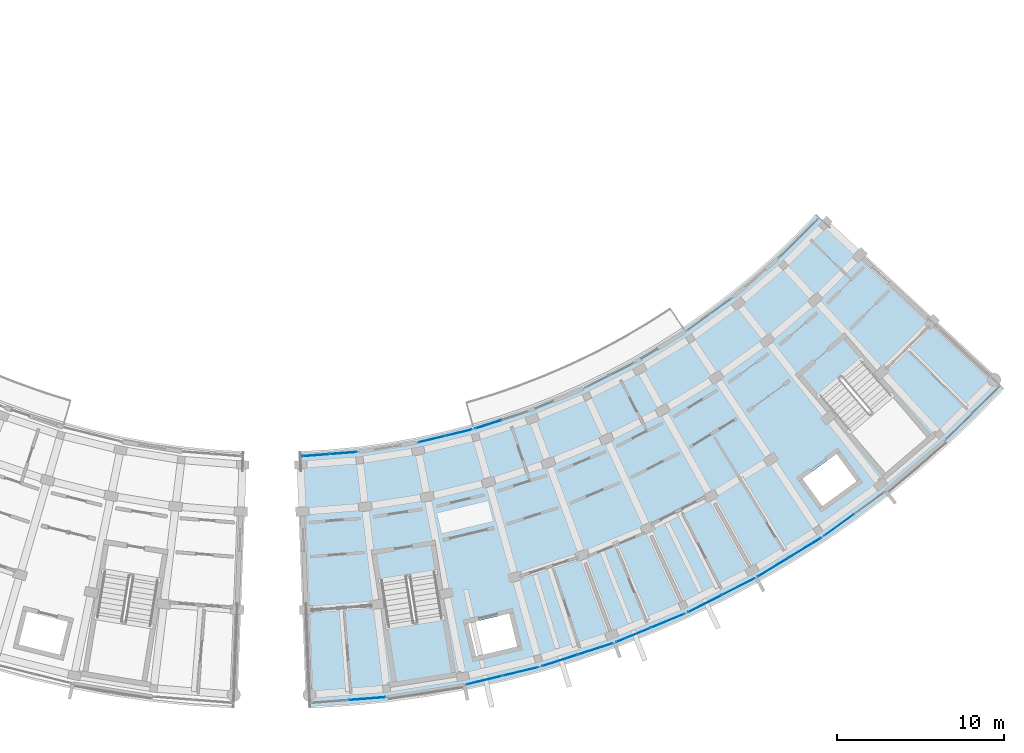
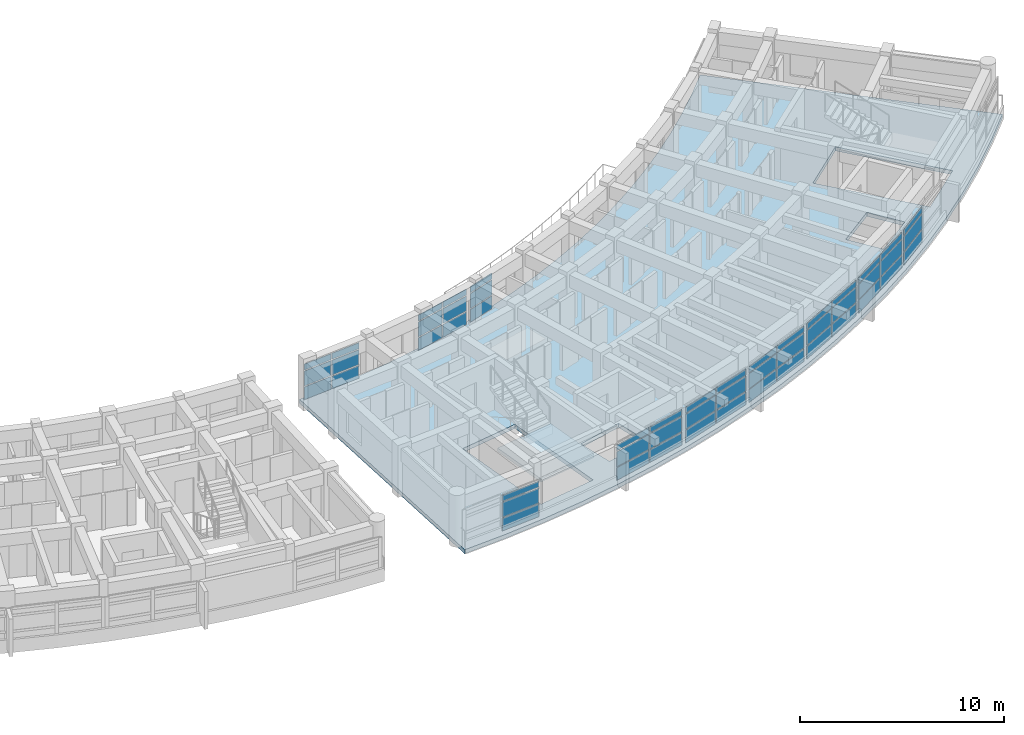
# One storey, part 25 of 56: 51 plates, 2 slabs, 11 elements without a shape of their own.
"""IFC4 building model written with IfcOpenShell, lengths in metres."""

from ifc_helpers import new_model, si_unit, direction, frame, origin, origin_2d, place, context, subcontext, project, spatial, polyline, rectangle, outline, extrude, material, layer, layer_set, type_object, element, aggregate, save


model = new_model("IFC4")

# Units and contexts
model_context = context("Model", 3, precision=1e-05, world=origin(), true_north=direction((0.0, 1.0)))
body_context = subcontext(model_context, "Body", "Model", "MODEL_VIEW")
ifc_project = project(units=[si_unit("LENGTHUNIT", "METRE"), si_unit("AREAUNIT", "SQUARE_METRE"), si_unit("VOLUMEUNIT", "CUBIC_METRE"), si_unit("PLANEANGLEUNIT", "RADIAN"), si_unit("MASSUNIT", "GRAM", prefix="KILO")], contexts=[model_context])

# Site, building, storey
site_placement = place(None, origin())
site = spatial("IfcSite", under=ifc_project, at=site_placement, CompositionType="ELEMENT")
building_placement = place(site_placement, origin())
building = spatial("IfcBuilding", under=site, at=building_placement, Name="Zimvara Arc Housing Community", CompositionType="ELEMENT")
storey_placement = place(building_placement, frame((0.0, 0.0, 11.199951171875)))
storey = spatial("IfcBuildingStorey", under=building, at=storey_placement, Name="L03", CompositionType="ELEMENT", Elevation=11.199951171875)

# Curtain wall, plates
ifc_material_1 = material(Name="Anodised Aluminium AW-6063", Category="aluminium")
curtain_wall_type_1 = type_object("IfcCurtainWallType", Name="CW-SYS-04", PredefinedType="USERDEFINED", material=ifc_material_1)
curtain_wall_1_placement = place(storey_placement, origin())
curtain_wall_1 = element("IfcCurtainWall", 1, at=curtain_wall_1_placement, inside=storey, type_object=curtain_wall_type_1, Name="cw:blkD:L03:in:b0", ObjectType="CURTAIN WALL", PredefinedType="USERDEFINED")
ifc_material_2 = material(Name="Pale-Gold Anodised Aluminium Spandrel Panel", Category="aluminium")
ifc_layer_1 = layer(ifc_material_2, 0.035888671875)
ifc_layer_set_1 = layer_set([ifc_layer_1], Name="Pale-Gold Anodised Aluminium Spandrel Panel")
plate_type_1 = type_object("IfcPlateType", Name="CWP-GLD-36", PredefinedType="CURTAIN_PANEL", material=ifc_layer_set_1)
plate_1_placement = place(storey_placement, frame((128.6123046875, 65.344482421875, 0.065185546875), z_axis=(0.0, 0.0, 1.0), x_axis=(0.996985344149, 0.077590099579, 0.0)))
plate_1 = element("IfcPlate", 2, at=plate_1_placement, type_object=plate_type_1, Name="CW04 panel 1.1", PredefinedType="CURTAIN_PANEL", context=body_context, shape_type="SweptSolid", body=[
    extrude(rectangle(XDim=1.59423828125, YDim=0.035888671875, at=origin_2d()), origin(), (0.0, 0.0, 1.0), 0.75244140625),
])
plate_2_placement = place(storey_placement, frame((128.6123046875, 65.344482421875, 0.88232421875), z_axis=(0.0, 0.0, 1.0), x_axis=(0.996985344149, 0.077590099579, 0.0)))
plate_2 = element("IfcPlate", 3, at=plate_2_placement, type_object=plate_type_1, Name="CW04 panel 1.2", PredefinedType="CURTAIN_PANEL", context=body_context, shape_type="SweptSolid", body=[
    extrude(rectangle(XDim=1.59423828125, YDim=0.035888671875, at=origin_2d()), origin(), (0.0, 0.0, 1.0), 0.885009765625),
])
plate_3_placement = place(storey_placement, frame((128.6123046875, 65.344482421875, 1.83251953125), z_axis=(0.0, 0.0, 1.0), x_axis=(0.996985344149, 0.077590099579, 0.0)))
plate_3 = element("IfcPlate", 4, at=plate_3_placement, type_object=plate_type_1, Name="CW04 panel 1.3", PredefinedType="CURTAIN_PANEL", context=body_context, shape_type="SweptSolid", body=[
    extrude(rectangle(XDim=1.59423828125, YDim=0.035888671875, at=origin_2d()), origin(), (0.0, 0.0, 1.0), 0.3525390625),
])
plate_4_placement = place(storey_placement, frame((130.2666015625, 65.47314453125, 0.065185546875), z_axis=(0.0, 0.0, 1.0), x_axis=(0.996985344149, 0.077590099579, 0.0)))
plate_4 = element("IfcPlate", 5, at=plate_4_placement, type_object=plate_type_1, Name="CW04 panel 2.1", PredefinedType="CURTAIN_PANEL", context=body_context, shape_type="SweptSolid", body=[
    extrude(rectangle(XDim=1.59423828125, YDim=0.035888671875, at=origin_2d()), origin(), (0.0, 0.0, 1.0), 0.75244140625),
])
plate_5_placement = place(storey_placement, frame((130.2666015625, 65.47314453125, 0.88232421875), z_axis=(0.0, 0.0, 1.0), x_axis=(0.996985344149, 0.077590099579, 0.0)))
plate_5 = element("IfcPlate", 6, at=plate_5_placement, type_object=plate_type_1, Name="CW04 panel 2.2", PredefinedType="CURTAIN_PANEL", context=body_context, shape_type="SweptSolid", body=[
    extrude(rectangle(XDim=1.59423828125, YDim=0.035888671875, at=origin_2d()), origin(), (0.0, 0.0, 1.0), 0.885009765625),
])
plate_6_placement = place(storey_placement, frame((130.2666015625, 65.47314453125, 1.83251953125), z_axis=(0.0, 0.0, 1.0), x_axis=(0.996985344149, 0.077590099579, 0.0)))
plate_6 = element("IfcPlate", 7, at=plate_6_placement, type_object=plate_type_1, Name="CW04 panel 2.3", PredefinedType="CURTAIN_PANEL", context=body_context, shape_type="SweptSolid", body=[
    extrude(rectangle(XDim=1.59423828125, YDim=0.035888671875, at=origin_2d()), origin(), (0.0, 0.0, 1.0), 0.3525390625),
])
aggregate(curtain_wall_1, [plate_1, plate_2, plate_3, plate_4, plate_5, plate_6])

ifc_material_3 = material(Name="Anodised Aluminium AW-6063", Category="aluminium")
curtain_wall_type_2 = type_object("IfcCurtainWallType", Name="CW-SYS-08", PredefinedType="USERDEFINED", material=ifc_material_3)
curtain_wall_2_placement = place(storey_placement, origin())
curtain_wall_2 = element("IfcCurtainWall", 8, at=curtain_wall_2_placement, inside=storey, type_object=curtain_wall_type_2, Name="cw:blkD:L03:in:b3", ObjectType="CURTAIN WALL", PredefinedType="USERDEFINED")
plate_7_placement = place(storey_placement, frame((138.931396484375, 67.18896484375, 0.065185546875), z_axis=(0.0, 0.0, 1.0), x_axis=(0.951326373008, 0.308185223559, 0.0)))
plate_7 = element("IfcPlate", 9, at=plate_7_placement, type_object=plate_type_1, Name="CW08 panel 1.1", PredefinedType="CURTAIN_PANEL", context=body_context, shape_type="SweptSolid", body=[
    extrude(rectangle(XDim=1.59423828125, YDim=0.035888671875, at=origin_2d()), origin(), (0.0, 0.0, 1.0), 0.75244140625),
])
plate_8_placement = place(storey_placement, frame((138.931396484375, 67.18896484375, 0.88232421875), z_axis=(0.0, 0.0, 1.0), x_axis=(0.951326373008, 0.308185223559, 0.0)))
plate_8 = element("IfcPlate", 10, at=plate_8_placement, type_object=plate_type_1, Name="CW08 panel 1.2", PredefinedType="CURTAIN_PANEL", context=body_context, shape_type="SweptSolid", body=[
    extrude(rectangle(XDim=1.59423828125, YDim=0.035888671875, at=origin_2d()), origin(), (0.0, 0.0, 1.0), 0.885009765625),
])
plate_9_placement = place(storey_placement, frame((138.931396484375, 67.18896484375, 1.83251953125), z_axis=(0.0, 0.0, 1.0), x_axis=(0.951326373008, 0.308185223559, 0.0)))
plate_9 = element("IfcPlate", 11, at=plate_9_placement, type_object=plate_type_1, Name="CW08 panel 1.3", PredefinedType="CURTAIN_PANEL", context=body_context, shape_type="SweptSolid", body=[
    extrude(rectangle(XDim=1.59423828125, YDim=0.035888671875, at=origin_2d()), origin(), (0.0, 0.0, 1.0), 0.3525390625),
])
aggregate(curtain_wall_2, [plate_7, plate_8, plate_9])

curtain_wall_3_placement = place(storey_placement, origin())
curtain_wall_3 = element("IfcCurtainWall", 12, at=curtain_wall_3_placement, inside=storey, type_object=curtain_wall_type_1, Name="cw:blkD:L03:out:b6", ObjectType="CURTAIN WALL", PredefinedType="USERDEFINED")
plate_10_placement = place(storey_placement, frame((155.98291015625, 58.658203125, 0.065185546875), z_axis=(0.0, 0.0, 1.0), x_axis=(0.853095835272, 0.521754248513, 0.0)))
plate_10 = element("IfcPlate", 13, at=plate_10_placement, type_object=plate_type_1, Name="CW04 panel 1.1", PredefinedType="CURTAIN_PANEL", context=body_context, shape_type="SweptSolid", body=[
    extrude(rectangle(XDim=2.173828125, YDim=0.035888671875, at=origin_2d()), origin(), (0.0, 0.0, 1.0), 0.75244140625),
])
plate_11_placement = place(storey_placement, frame((155.98291015625, 58.658203125, 0.88232421875), z_axis=(0.0, 0.0, 1.0), x_axis=(0.853095835272, 0.521754248513, 0.0)))
plate_11 = element("IfcPlate", 14, at=plate_11_placement, type_object=plate_type_1, Name="CW04 panel 1.2", PredefinedType="CURTAIN_PANEL", context=body_context, shape_type="SweptSolid", body=[
    extrude(rectangle(XDim=2.173828125, YDim=0.035888671875, at=origin_2d()), origin(), (0.0, 0.0, 1.0), 0.885009765625),
])
plate_12_placement = place(storey_placement, frame((155.98291015625, 58.658203125, 1.83251953125), z_axis=(0.0, 0.0, 1.0), x_axis=(0.853095835272, 0.521754248513, 0.0)))
plate_12 = element("IfcPlate", 15, at=plate_12_placement, type_object=plate_type_1, Name="CW04 panel 1.3", PredefinedType="CURTAIN_PANEL", context=body_context, shape_type="SweptSolid", body=[
    extrude(rectangle(XDim=2.173828125, YDim=0.035888671875, at=origin_2d()), origin(), (0.0, 0.0, 1.0), 0.3525390625),
])
plate_13_placement = place(storey_placement, frame((157.892822265625, 59.826171875, 0.065185546875), z_axis=(0.0, 0.0, 1.0), x_axis=(0.853095835272, 0.521754248513, 0.0)))
plate_13 = element("IfcPlate", 16, at=plate_13_placement, type_object=plate_type_1, Name="CW04 panel 2.1", PredefinedType="CURTAIN_PANEL", context=body_context, shape_type="SweptSolid", body=[
    extrude(rectangle(XDim=2.173828125, YDim=0.035888671875, at=origin_2d()), origin(), (0.0, 0.0, 1.0), 0.75244140625),
])
plate_14_placement = place(storey_placement, frame((157.892822265625, 59.826171875, 0.88232421875), z_axis=(0.0, 0.0, 1.0), x_axis=(0.853095835272, 0.521754248513, 0.0)))
plate_14 = element("IfcPlate", 17, at=plate_14_placement, type_object=plate_type_1, Name="CW04 panel 2.2", PredefinedType="CURTAIN_PANEL", context=body_context, shape_type="SweptSolid", body=[
    extrude(rectangle(XDim=2.173828125, YDim=0.035888671875, at=origin_2d()), origin(), (0.0, 0.0, 1.0), 0.885009765625),
])
plate_15_placement = place(storey_placement, frame((157.892822265625, 59.826171875, 1.83251953125), z_axis=(0.0, 0.0, 1.0), x_axis=(0.853095835272, 0.521754248513, 0.0)))
plate_15 = element("IfcPlate", 18, at=plate_15_placement, type_object=plate_type_1, Name="CW04 panel 2.3", PredefinedType="CURTAIN_PANEL", context=body_context, shape_type="SweptSolid", body=[
    extrude(rectangle(XDim=2.173828125, YDim=0.035888671875, at=origin_2d()), origin(), (0.0, 0.0, 1.0), 0.3525390625),
])
aggregate(curtain_wall_3, [plate_10, plate_11, plate_12, plate_13, plate_14, plate_15])

ifc_material_4 = material(Name="Anodised Aluminium AW-6063", Category="aluminium")
curtain_wall_type_3 = type_object("IfcCurtainWallType", Name="CW-SYS-05", PredefinedType="USERDEFINED", material=ifc_material_4)
curtain_wall_4_placement = place(storey_placement, origin())
curtain_wall_4 = element("IfcCurtainWall", 19, at=curtain_wall_4_placement, inside=storey, type_object=curtain_wall_type_3, Name="cw:blkD:L03:out:b2", ObjectType="CURTAIN WALL", PredefinedType="USERDEFINED")
ifc_material_5 = material(Name="Solar Control Low-E Double Glazing", Category="glass")
ifc_layer_2 = layer(ifc_material_5, 0.02392578125)
ifc_layer_set_2 = layer_set([ifc_layer_2], Name="Solar Control Low-E Double Glazing")
plate_type_2 = type_object("IfcPlateType", Name="CWP-GLZ-24", PredefinedType="CURTAIN_PANEL", material=ifc_layer_set_2)
plate_16_placement = place(storey_placement, frame((138.6923828125, 51.892822265625, 0.065185546875), z_axis=(0.0, 0.0, 1.0), x_axis=(0.97257325149, 0.232596798101, 0.0)))
plate_16 = element("IfcPlate", 20, at=plate_16_placement, type_object=plate_type_2, Name="CW05 panel 1.1", PredefinedType="CURTAIN_PANEL", context=body_context, shape_type="SweptSolid", body=[
    extrude(rectangle(XDim=2.173828125, YDim=0.02392578125, at=origin_2d()), origin(), (0.0, 0.0, 1.0), 0.75244140625),
])
plate_17_placement = place(storey_placement, frame((138.6923828125, 51.892822265625, 0.88232421875), z_axis=(0.0, 0.0, 1.0), x_axis=(0.97257325149, 0.232596798101, 0.0)))
plate_17 = element("IfcPlate", 21, at=plate_17_placement, type_object=plate_type_2, Name="CW05 panel 1.2", PredefinedType="CURTAIN_PANEL", context=body_context, shape_type="SweptSolid", body=[
    extrude(rectangle(XDim=2.173828125, YDim=0.02392578125, at=origin_2d()), origin(), (0.0, 0.0, 1.0), 0.885009765625),
])
plate_18_placement = place(storey_placement, frame((138.6923828125, 51.892822265625, 1.83251953125), z_axis=(0.0, 0.0, 1.0), x_axis=(0.97257325149, 0.232596798101, 0.0)))
plate_18 = element("IfcPlate", 22, at=plate_18_placement, type_object=plate_type_2, Name="CW05 panel 1.3", PredefinedType="CURTAIN_PANEL", context=body_context, shape_type="SweptSolid", body=[
    extrude(rectangle(XDim=2.173828125, YDim=0.02392578125, at=origin_2d()), origin(), (0.0, 0.0, 1.0), 0.3525390625),
])
plate_19_placement = place(storey_placement, frame((140.86962890625, 52.41357421875, 0.065185546875), z_axis=(0.0, 0.0, 1.0), x_axis=(0.97257325149, 0.232596798101, 0.0)))
plate_19 = element("IfcPlate", 23, at=plate_19_placement, type_object=plate_type_2, Name="CW05 panel 2.1", PredefinedType="CURTAIN_PANEL", context=body_context, shape_type="SweptSolid", body=[
    extrude(rectangle(XDim=2.173828125, YDim=0.02392578125, at=origin_2d()), origin(), (0.0, 0.0, 1.0), 0.75244140625),
])
plate_20_placement = place(storey_placement, frame((140.86962890625, 52.41357421875, 0.88232421875), z_axis=(0.0, 0.0, 1.0), x_axis=(0.97257325149, 0.232596798101, 0.0)))
plate_20 = element("IfcPlate", 24, at=plate_20_placement, type_object=plate_type_2, Name="CW05 panel 2.2", PredefinedType="CURTAIN_PANEL", context=body_context, shape_type="SweptSolid", body=[
    extrude(rectangle(XDim=2.173828125, YDim=0.02392578125, at=origin_2d()), origin(), (0.0, 0.0, 1.0), 0.885009765625),
])
plate_21_placement = place(storey_placement, frame((140.86962890625, 52.41357421875, 1.83251953125), z_axis=(0.0, 0.0, 1.0), x_axis=(0.97257325149, 0.232596798101, 0.0)))
plate_21 = element("IfcPlate", 25, at=plate_21_placement, type_object=plate_type_2, Name="CW05 panel 2.3", PredefinedType="CURTAIN_PANEL", context=body_context, shape_type="SweptSolid", body=[
    extrude(rectangle(XDim=2.173828125, YDim=0.02392578125, at=origin_2d()), origin(), (0.0, 0.0, 1.0), 0.3525390625),
])
aggregate(curtain_wall_4, [plate_16, plate_17, plate_18, plate_19, plate_20, plate_21])

ifc_material_6 = material(Name="Anodised Aluminium AW-6063", Category="aluminium")
curtain_wall_type_4 = type_object("IfcCurtainWallType", Name="CW-SYS-01", PredefinedType="USERDEFINED", material=ifc_material_6)
curtain_wall_5_placement = place(storey_placement, origin())
curtain_wall_5 = element("IfcCurtainWall", 26, at=curtain_wall_5_placement, inside=storey, type_object=curtain_wall_type_4, Name="cw:blkD:L03:out:b4", ObjectType="CURTAIN WALL", PredefinedType="USERDEFINED")
plate_22_placement = place(storey_placement, frame((147.603759765625, 54.594970703125, 0.065185546875), z_axis=(0.0, 0.0, 1.0), x_axis=(0.924213377749, 0.38187646221, 0.0)))
plate_22 = element("IfcPlate", 27, at=plate_22_placement, type_object=plate_type_2, Name="CW01 panel 1.1", PredefinedType="CURTAIN_PANEL", context=body_context, shape_type="SweptSolid", body=[
    extrude(rectangle(XDim=2.173828125, YDim=0.02392578125, at=origin_2d()), origin(), (0.0, 0.0, 1.0), 0.75244140625),
])
plate_23_placement = place(storey_placement, frame((147.603759765625, 54.594970703125, 0.88232421875), z_axis=(0.0, 0.0, 1.0), x_axis=(0.924213377749, 0.38187646221, 0.0)))
plate_23 = element("IfcPlate", 28, at=plate_23_placement, type_object=plate_type_2, Name="CW01 panel 1.2", PredefinedType="CURTAIN_PANEL", context=body_context, shape_type="SweptSolid", body=[
    extrude(rectangle(XDim=2.173828125, YDim=0.02392578125, at=origin_2d()), origin(), (0.0, 0.0, 1.0), 0.885009765625),
])
plate_24_placement = place(storey_placement, frame((147.603759765625, 54.594970703125, 1.83251953125), z_axis=(0.0, 0.0, 1.0), x_axis=(0.924213377749, 0.38187646221, 0.0)))
plate_24 = element("IfcPlate", 29, at=plate_24_placement, type_object=plate_type_2, Name="CW01 panel 1.3", PredefinedType="CURTAIN_PANEL", context=body_context, shape_type="SweptSolid", body=[
    extrude(rectangle(XDim=2.173828125, YDim=0.02392578125, at=origin_2d()), origin(), (0.0, 0.0, 1.0), 0.3525390625),
])
plate_25_placement = place(storey_placement, frame((149.6728515625, 55.449951171875, 0.065185546875), z_axis=(0.0, 0.0, 1.0), x_axis=(0.924213377749, 0.38187646221, 0.0)))
plate_25 = element("IfcPlate", 30, at=plate_25_placement, type_object=plate_type_2, Name="CW01 panel 2.1", PredefinedType="CURTAIN_PANEL", context=body_context, shape_type="SweptSolid", body=[
    extrude(rectangle(XDim=2.173828125, YDim=0.02392578125, at=origin_2d()), origin(), (0.0, 0.0, 1.0), 0.75244140625),
])
plate_26_placement = place(storey_placement, frame((149.6728515625, 55.449951171875, 0.88232421875), z_axis=(0.0, 0.0, 1.0), x_axis=(0.924213377749, 0.38187646221, 0.0)))
plate_26 = element("IfcPlate", 31, at=plate_26_placement, type_object=plate_type_2, Name="CW01 panel 2.2", PredefinedType="CURTAIN_PANEL", context=body_context, shape_type="SweptSolid", body=[
    extrude(rectangle(XDim=2.173828125, YDim=0.02392578125, at=origin_2d()), origin(), (0.0, 0.0, 1.0), 0.885009765625),
])
plate_27_placement = place(storey_placement, frame((149.6728515625, 55.449951171875, 1.83251953125), z_axis=(0.0, 0.0, 1.0), x_axis=(0.924213377749, 0.38187646221, 0.0)))
plate_27 = element("IfcPlate", 32, at=plate_27_placement, type_object=plate_type_2, Name="CW01 panel 2.3", PredefinedType="CURTAIN_PANEL", context=body_context, shape_type="SweptSolid", body=[
    extrude(rectangle(XDim=2.173828125, YDim=0.02392578125, at=origin_2d()), origin(), (0.0, 0.0, 1.0), 0.3525390625),
])
aggregate(curtain_wall_5, [plate_22, plate_23, plate_24, plate_25, plate_26, plate_27])

curtain_wall_6_placement = place(storey_placement, origin())
curtain_wall_6 = element("IfcCurtainWall", 33, at=curtain_wall_6_placement, inside=storey, type_object=curtain_wall_type_3, Name="cw:blkD:L03:out:b7", ObjectType="CURTAIN WALL", PredefinedType="USERDEFINED")
plate_28_placement = place(storey_placement, frame((159.90771484375, 61.169921875, 0.065185546875), z_axis=(0.0, 0.0, 1.0), x_axis=(0.809530431263, 0.587077917196, 0.0)))
plate_28 = element("IfcPlate", 34, at=plate_28_placement, type_object=plate_type_2, Name="CW05 panel 1.1", PredefinedType="CURTAIN_PANEL", context=body_context, shape_type="SweptSolid", body=[
    extrude(rectangle(XDim=2.173828125, YDim=0.02392578125, at=origin_2d()), origin(), (0.0, 0.0, 1.0), 0.75244140625),
])
plate_29_placement = place(storey_placement, frame((159.90771484375, 61.169921875, 0.88232421875), z_axis=(0.0, 0.0, 1.0), x_axis=(0.809530431263, 0.587077917196, 0.0)))
plate_29 = element("IfcPlate", 35, at=plate_29_placement, type_object=plate_type_2, Name="CW05 panel 1.2", PredefinedType="CURTAIN_PANEL", context=body_context, shape_type="SweptSolid", body=[
    extrude(rectangle(XDim=2.173828125, YDim=0.02392578125, at=origin_2d()), origin(), (0.0, 0.0, 1.0), 0.885009765625),
])
plate_30_placement = place(storey_placement, frame((159.90771484375, 61.169921875, 1.83251953125), z_axis=(0.0, 0.0, 1.0), x_axis=(0.809530431263, 0.587077917196, 0.0)))
plate_30 = element("IfcPlate", 36, at=plate_30_placement, type_object=plate_type_2, Name="CW05 panel 1.3", PredefinedType="CURTAIN_PANEL", context=body_context, shape_type="SweptSolid", body=[
    extrude(rectangle(XDim=2.173828125, YDim=0.02392578125, at=origin_2d()), origin(), (0.0, 0.0, 1.0), 0.3525390625),
])
aggregate(curtain_wall_6, [plate_28, plate_29, plate_30])

ifc_material_7 = material(Name="Anodised Aluminium AW-6063", Category="aluminium")
curtain_wall_type_5 = type_object("IfcCurtainWallType", Name="CW-SYS-06", PredefinedType="USERDEFINED", material=ifc_material_7)
curtain_wall_7_placement = place(storey_placement, origin())
curtain_wall_7 = element("IfcCurtainWall", 37, at=curtain_wall_7_placement, inside=storey, type_object=curtain_wall_type_5, Name="cw:blkD:L03:in:b2", ObjectType="CURTAIN WALL", PredefinedType="USERDEFINED")
ifc_material_8 = material(Name="Solar Control Low-E Double Glazing", Category="glass")
ifc_layer_3 = layer(ifc_material_8, 0.028076171875)
ifc_layer_set_3 = layer_set([ifc_layer_3], Name="Solar Control Low-E Double Glazing")
plate_type_3 = type_object("IfcPlateType", Name="CWP-GLZ-28", PredefinedType="CURTAIN_PANEL", material=ifc_layer_set_3)
plate_31_placement = place(storey_placement, frame((135.543701171875, 66.30419921875, 0.065185546875), z_axis=(0.0, 0.0, 1.0), x_axis=(0.972573441526, 0.232596003485, 0.0)))
plate_31 = element("IfcPlate", 38, at=plate_31_placement, type_object=plate_type_3, Name="CW06 panel 1.1", PredefinedType="CURTAIN_PANEL", context=body_context, shape_type="SweptSolid", body=[
    extrude(rectangle(XDim=1.59423828125, YDim=0.028076171875, at=origin_2d()), origin(), (0.0, 0.0, 1.0), 0.75244140625),
])
plate_32_placement = place(storey_placement, frame((135.543701171875, 66.30419921875, 0.88232421875), z_axis=(0.0, 0.0, 1.0), x_axis=(0.972573441526, 0.232596003485, 0.0)))
plate_32 = element("IfcPlate", 39, at=plate_32_placement, type_object=plate_type_3, Name="CW06 panel 1.2", PredefinedType="CURTAIN_PANEL", context=body_context, shape_type="SweptSolid", body=[
    extrude(rectangle(XDim=1.59423828125, YDim=0.028076171875, at=origin_2d()), origin(), (0.0, 0.0, 1.0), 0.885009765625),
])
plate_33_placement = place(storey_placement, frame((135.543701171875, 66.30419921875, 1.83251953125), z_axis=(0.0, 0.0, 1.0), x_axis=(0.972573441526, 0.232596003485, 0.0)))
plate_33 = element("IfcPlate", 40, at=plate_33_placement, type_object=plate_type_3, Name="CW06 panel 1.3", PredefinedType="CURTAIN_PANEL", context=body_context, shape_type="SweptSolid", body=[
    extrude(rectangle(XDim=1.59423828125, YDim=0.028076171875, at=origin_2d()), origin(), (0.0, 0.0, 1.0), 0.3525390625),
])
plate_34_placement = place(storey_placement, frame((137.1572265625, 66.690185546875, 0.065185546875), z_axis=(0.0, 0.0, 1.0), x_axis=(0.972573441526, 0.232596003485, 0.0)))
plate_34 = element("IfcPlate", 41, at=plate_34_placement, type_object=plate_type_3, Name="CW06 panel 2.1", PredefinedType="CURTAIN_PANEL", context=body_context, shape_type="SweptSolid", body=[
    extrude(rectangle(XDim=1.59423828125, YDim=0.028076171875, at=origin_2d()), origin(), (0.0, 0.0, 1.0), 0.75244140625),
])
plate_35_placement = place(storey_placement, frame((137.1572265625, 66.690185546875, 0.88232421875), z_axis=(0.0, 0.0, 1.0), x_axis=(0.972573441526, 0.232596003485, 0.0)))
plate_35 = element("IfcPlate", 42, at=plate_35_placement, type_object=plate_type_3, Name="CW06 panel 2.2", PredefinedType="CURTAIN_PANEL", context=body_context, shape_type="SweptSolid", body=[
    extrude(rectangle(XDim=1.59423828125, YDim=0.028076171875, at=origin_2d()), origin(), (0.0, 0.0, 1.0), 0.885009765625),
])
plate_36_placement = place(storey_placement, frame((137.1572265625, 66.690185546875, 1.83251953125), z_axis=(0.0, 0.0, 1.0), x_axis=(0.972573441526, 0.232596003485, 0.0)))
plate_36 = element("IfcPlate", 43, at=plate_36_placement, type_object=plate_type_3, Name="CW06 panel 2.3", PredefinedType="CURTAIN_PANEL", context=body_context, shape_type="SweptSolid", body=[
    extrude(rectangle(XDim=1.59423828125, YDim=0.028076171875, at=origin_2d()), origin(), (0.0, 0.0, 1.0), 0.3525390625),
])
aggregate(curtain_wall_7, [plate_31, plate_32, plate_33, plate_34, plate_35, plate_36])

ifc_material_9 = material(Name="Anodised Aluminium AW-6063", Category="aluminium")
curtain_wall_type_6 = type_object("IfcCurtainWallType", Name="CW-SYS-02", PredefinedType="USERDEFINED", material=ifc_material_9)
curtain_wall_8_placement = place(storey_placement, origin())
curtain_wall_8 = element("IfcCurtainWall", 44, at=curtain_wall_8_placement, inside=storey, type_object=curtain_wall_type_6, Name="cw:blkD:L03:out:b5", ObjectType="CURTAIN WALL", PredefinedType="USERDEFINED")
plate_37_placement = place(storey_placement, frame((151.873291015625, 56.4619140625, 0.065185546875), z_axis=(0.0, 0.0, 1.0), x_axis=(0.891402932954, 0.453211662605, 0.0)))
plate_37 = element("IfcPlate", 45, at=plate_37_placement, type_object=plate_type_3, Name="CW02 panel 1.1", PredefinedType="CURTAIN_PANEL", context=body_context, shape_type="SweptSolid", body=[
    extrude(rectangle(XDim=2.173828125, YDim=0.028076171875, at=origin_2d()), origin(), (0.0, 0.0, 1.0), 0.75244140625),
])
plate_38_placement = place(storey_placement, frame((151.873291015625, 56.4619140625, 0.88232421875), z_axis=(0.0, 0.0, 1.0), x_axis=(0.891402932954, 0.453211662605, 0.0)))
plate_38 = element("IfcPlate", 46, at=plate_38_placement, type_object=plate_type_3, Name="CW02 panel 1.2", PredefinedType="CURTAIN_PANEL", context=body_context, shape_type="SweptSolid", body=[
    extrude(rectangle(XDim=2.173828125, YDim=0.028076171875, at=origin_2d()), origin(), (0.0, 0.0, 1.0), 0.885009765625),
])
plate_39_placement = place(storey_placement, frame((151.873291015625, 56.4619140625, 1.83251953125), z_axis=(0.0, 0.0, 1.0), x_axis=(0.891402932954, 0.453211662605, 0.0)))
plate_39 = element("IfcPlate", 47, at=plate_39_placement, type_object=plate_type_3, Name="CW02 panel 1.3", PredefinedType="CURTAIN_PANEL", context=body_context, shape_type="SweptSolid", body=[
    extrude(rectangle(XDim=2.173828125, YDim=0.028076171875, at=origin_2d()), origin(), (0.0, 0.0, 1.0), 0.3525390625),
])
plate_40_placement = place(storey_placement, frame((153.868896484375, 57.4765625, 0.065185546875), z_axis=(0.0, 0.0, 1.0), x_axis=(0.891402932954, 0.453211662605, 0.0)))
plate_40 = element("IfcPlate", 48, at=plate_40_placement, type_object=plate_type_3, Name="CW02 panel 2.1", PredefinedType="CURTAIN_PANEL", context=body_context, shape_type="SweptSolid", body=[
    extrude(rectangle(XDim=2.173828125, YDim=0.028076171875, at=origin_2d()), origin(), (0.0, 0.0, 1.0), 0.75244140625),
])
plate_41_placement = place(storey_placement, frame((153.868896484375, 57.4765625, 0.88232421875), z_axis=(0.0, 0.0, 1.0), x_axis=(0.891402932954, 0.453211662605, 0.0)))
plate_41 = element("IfcPlate", 49, at=plate_41_placement, type_object=plate_type_3, Name="CW02 panel 2.2", PredefinedType="CURTAIN_PANEL", context=body_context, shape_type="SweptSolid", body=[
    extrude(rectangle(XDim=2.173828125, YDim=0.028076171875, at=origin_2d()), origin(), (0.0, 0.0, 1.0), 0.885009765625),
])
plate_42_placement = place(storey_placement, frame((153.868896484375, 57.4765625, 1.83251953125), z_axis=(0.0, 0.0, 1.0), x_axis=(0.891402932954, 0.453211662605, 0.0)))
plate_42 = element("IfcPlate", 50, at=plate_42_placement, type_object=plate_type_3, Name="CW02 panel 2.3", PredefinedType="CURTAIN_PANEL", context=body_context, shape_type="SweptSolid", body=[
    extrude(rectangle(XDim=2.173828125, YDim=0.028076171875, at=origin_2d()), origin(), (0.0, 0.0, 1.0), 0.3525390625),
])
aggregate(curtain_wall_8, [plate_37, plate_38, plate_39, plate_40, plate_41, plate_42])

ifc_material_10 = material(Name="Anodised Aluminium AW-6063", Category="aluminium")
curtain_wall_type_7 = type_object("IfcCurtainWallType", Name="CW-SYS-03", PredefinedType="USERDEFINED", material=ifc_material_10)
curtain_wall_9_placement = place(storey_placement, origin())
curtain_wall_9 = element("IfcCurtainWall", 51, at=curtain_wall_9_placement, inside=storey, type_object=curtain_wall_type_7, Name="cw:blkD:L03:out:b0", ObjectType="CURTAIN WALL", PredefinedType="USERDEFINED")
ifc_material_11 = material(Name="Acoustic Laminated Solar Glazing", Category="glass")
ifc_layer_4 = layer(ifc_material_11, 0.031982421875)
ifc_layer_set_4 = layer_set([ifc_layer_4], Name="Acoustic Laminated Solar Glazing")
plate_type_4 = type_object("IfcPlateType", Name="CWP-GLZ-32", PredefinedType="CURTAIN_PANEL", material=ifc_layer_set_4)
plate_43_placement = place(storey_placement, frame((131.69970703125, 50.79150390625, 0.065185546875), z_axis=(0.0, 0.0, 1.0), x_axis=(0.996985387849, 0.077589538059, 0.0)))
plate_43 = element("IfcPlate", 52, at=plate_43_placement, type_object=plate_type_4, Name="CW03 panel 2.1", PredefinedType="CURTAIN_PANEL", context=body_context, shape_type="SweptSolid", body=[
    extrude(rectangle(XDim=2.173828125, YDim=0.031982421875, at=origin_2d()), origin(), (0.0, 0.0, 1.0), 0.75244140625),
])
plate_44_placement = place(storey_placement, frame((131.69970703125, 50.79150390625, 0.88232421875), z_axis=(0.0, 0.0, 1.0), x_axis=(0.996985387849, 0.077589538059, 0.0)))
plate_44 = element("IfcPlate", 53, at=plate_44_placement, type_object=plate_type_4, Name="CW03 panel 2.2", PredefinedType="CURTAIN_PANEL", context=body_context, shape_type="SweptSolid", body=[
    extrude(rectangle(XDim=2.173828125, YDim=0.031982421875, at=origin_2d()), origin(), (0.0, 0.0, 1.0), 0.885009765625),
])
plate_45_placement = place(storey_placement, frame((131.69970703125, 50.79150390625, 1.83251953125), z_axis=(0.0, 0.0, 1.0), x_axis=(0.996985387849, 0.077589538059, 0.0)))
plate_45 = element("IfcPlate", 54, at=plate_45_placement, type_object=plate_type_4, Name="CW03 panel 2.3", PredefinedType="CURTAIN_PANEL", context=body_context, shape_type="SweptSolid", body=[
    extrude(rectangle(XDim=2.173828125, YDim=0.031982421875, at=origin_2d()), origin(), (0.0, 0.0, 1.0), 0.3525390625),
])
aggregate(curtain_wall_9, [plate_43, plate_44, plate_45])

ifc_material_12 = material(Name="Anodised Aluminium AW-6063", Category="aluminium")
curtain_wall_type_8 = type_object("IfcCurtainWallType", Name="CW-SYS-07", PredefinedType="USERDEFINED", material=ifc_material_12)
curtain_wall_10_placement = place(storey_placement, origin())
curtain_wall_10 = element("IfcCurtainWall", 55, at=curtain_wall_10_placement, inside=storey, type_object=curtain_wall_type_8, Name="cw:blkD:L03:out:b3", ObjectType="CURTAIN WALL", PredefinedType="USERDEFINED")
plate_46_placement = place(storey_placement, frame((143.201171875, 53.06884765625, 0.065185546875), z_axis=(0.0, 0.0, 1.0), x_axis=(0.951326460914, 0.308184952203, 0.0)))
plate_46 = element("IfcPlate", 56, at=plate_46_placement, type_object=plate_type_4, Name="CW07 panel 1.1", PredefinedType="CURTAIN_PANEL", context=body_context, shape_type="SweptSolid", body=[
    extrude(rectangle(XDim=2.173828125, YDim=0.031982421875, at=origin_2d()), origin(), (0.0, 0.0, 1.0), 0.75244140625),
])
plate_47_placement = place(storey_placement, frame((143.201171875, 53.06884765625, 0.88232421875), z_axis=(0.0, 0.0, 1.0), x_axis=(0.951326460914, 0.308184952203, 0.0)))
plate_47 = element("IfcPlate", 57, at=plate_47_placement, type_object=plate_type_4, Name="CW07 panel 1.2", PredefinedType="CURTAIN_PANEL", context=body_context, shape_type="SweptSolid", body=[
    extrude(rectangle(XDim=2.173828125, YDim=0.031982421875, at=origin_2d()), origin(), (0.0, 0.0, 1.0), 0.885009765625),
])
plate_48_placement = place(storey_placement, frame((143.201171875, 53.06884765625, 1.83251953125), z_axis=(0.0, 0.0, 1.0), x_axis=(0.951326460914, 0.308184952203, 0.0)))
plate_48 = element("IfcPlate", 58, at=plate_48_placement, type_object=plate_type_4, Name="CW07 panel 1.3", PredefinedType="CURTAIN_PANEL", context=body_context, shape_type="SweptSolid", body=[
    extrude(rectangle(XDim=2.173828125, YDim=0.031982421875, at=origin_2d()), origin(), (0.0, 0.0, 1.0), 0.3525390625),
])
plate_49_placement = place(storey_placement, frame((145.330810546875, 53.7587890625, 0.065185546875), z_axis=(0.0, 0.0, 1.0), x_axis=(0.951326460914, 0.308184952203, 0.0)))
plate_49 = element("IfcPlate", 59, at=plate_49_placement, type_object=plate_type_4, Name="CW07 panel 2.1", PredefinedType="CURTAIN_PANEL", context=body_context, shape_type="SweptSolid", body=[
    extrude(rectangle(XDim=2.173828125, YDim=0.031982421875, at=origin_2d()), origin(), (0.0, 0.0, 1.0), 0.75244140625),
])
plate_50_placement = place(storey_placement, frame((145.330810546875, 53.7587890625, 0.88232421875), z_axis=(0.0, 0.0, 1.0), x_axis=(0.951326460914, 0.308184952203, 0.0)))
plate_50 = element("IfcPlate", 60, at=plate_50_placement, type_object=plate_type_4, Name="CW07 panel 2.2", PredefinedType="CURTAIN_PANEL", context=body_context, shape_type="SweptSolid", body=[
    extrude(rectangle(XDim=2.173828125, YDim=0.031982421875, at=origin_2d()), origin(), (0.0, 0.0, 1.0), 0.885009765625),
])
plate_51_placement = place(storey_placement, frame((145.330810546875, 53.7587890625, 1.83251953125), z_axis=(0.0, 0.0, 1.0), x_axis=(0.951326460914, 0.308184952203, 0.0)))
plate_51 = element("IfcPlate", 61, at=plate_51_placement, type_object=plate_type_4, Name="CW07 panel 2.3", PredefinedType="CURTAIN_PANEL", context=body_context, shape_type="SweptSolid", body=[
    extrude(rectangle(XDim=2.173828125, YDim=0.031982421875, at=origin_2d()), origin(), (0.0, 0.0, 1.0), 0.3525390625),
])
aggregate(curtain_wall_10, [plate_46, plate_47, plate_48, plate_49, plate_50, plate_51])

# Stair, slab
ifc_material_13 = material(Name="Concrete C35/45", Category="concrete")
stair_type = type_object("IfcStairType", Name="STR-DL-310-310", PredefinedType="HALF_TURN_STAIR", material=ifc_material_13)
stair_placement = place(storey_placement, origin())
stair = element("IfcStair", 62, at=stair_placement, inside=storey, type_object=stair_type, Name="L03 Block D Exit Stair 1", PredefinedType="HALF_TURN_STAIR")
ifc_material_14 = material(Name="Concrete C35/45", Category="concrete")
ifc_layer_5 = layer(ifc_material_14, 0.199951171875)
ifc_layer_set_5 = layer_set([ifc_layer_5], Name="Concrete C35/45")
slab_type_1 = type_object("IfcSlabType", Name="SLB-STAIR-LND-200", PredefinedType="LANDING", material=ifc_layer_set_5)
slab_1_placement = place(storey_placement, frame((0.0, 0.0, 1.35009765625)))
slab_1 = element("IfcSlab", 63, at=slab_1_placement, type_object=slab_type_1, Name="ST-D1 landing 1", PredefinedType="LANDING", context=body_context, shape_type="SweptSolid", body=[
    extrude(outline(polyline([(132.900390625, 55.1201171875), (133.427734375, 51.771484375), (136.746826171875, 52.294189453125), (136.219482421875, 55.642822265625), (132.900390625, 55.1201171875)])), origin(), (0.0, 0.0, 1.0), 0.199951171875),
])
aggregate(stair, [slab_1])

# Slab
ifc_material_15 = material(Name="Concrete C35/45", Category="concrete")
ifc_layer_6 = layer(ifc_material_15, 0.239990234375)
ifc_layer_set_6 = layer_set([ifc_layer_6], Name="Concrete C35/45")
slab_type_2 = type_object("IfcSlabType", Name="SLB-TYP-240", PredefinedType="FLOOR", material=ifc_layer_set_6)
slab_2_placement = place(storey_placement, frame((0.0, 0.0, -0.239990234375)))
element("IfcSlab", 64, at=slab_2_placement, inside=storey, type_object=slab_type_2, Name="slab:blkD:L03:main", PredefinedType="FLOOR", context=body_context, shape_type="SweptSolid", body=[
    extrude(outline(polyline([(128.267822265625, 50.303955078125), (130.604248046875, 50.439697265625), (132.93359375, 50.6669921875), (135.252197265625, 50.985595703125), (137.556396484375, 51.39501953125), (139.8427734375, 51.89453125), (142.10791015625, 52.483642578125), (144.347900390625, 53.160888671875), (146.559814453125, 53.92578125), (148.739990234375, 54.77685546875), (150.884765625, 55.712890625), (152.991455078125, 56.732421875), (155.056396484375, 57.833740234375), (157.07666015625, 59.015380859375), (159.048828125, 60.275634765625), (160.969970703125, 61.612060546875), (162.837158203125, 63.02294921875), (164.6474609375, 64.506103515625), (166.3984375, 66.05908203125), (168.086669921875, 67.6796875), (169.710205078125, 69.365234375), (158.5576171875, 79.69287109375), (157.34814453125, 78.43701171875), (156.09033203125, 77.229736328125), (154.7861328125, 76.07275390625), (153.437255859375, 74.968017578125), (152.04638671875, 73.9169921875), (150.614990234375, 72.921142578125), (149.14599609375, 71.982666015625), (147.640869140625, 71.102294921875), (146.1025390625, 70.28173828125), (144.533203125, 69.522216796875), (142.935302734375, 68.824951171875), (141.311279296875, 68.19091796875), (139.66357421875, 67.62109375), (137.99462890625, 67.116455078125), (136.307373046875, 66.677734375), (134.60400390625, 66.3056640625), (132.887451171875, 66.00048828125), (131.16015625, 65.76318359375), (129.425048828125, 65.59375), (127.684326171875, 65.49267578125), (128.267822265625, 50.303955078125)]), holes=[polyline([(135.751953125, 58.35302734375), (136.700927734375, 52.327392578125), (133.4609375, 51.817138671875), (132.511962890625, 57.8427734375), (135.751953125, 58.35302734375)]), polyline([(161.224365234375, 71.049072265625), (165.181884765625, 66.4072265625), (162.685791015625, 64.279052734375), (158.728271484375, 68.921142578125), (161.224365234375, 71.049072265625)]), polyline([(140.194091796875, 55.8857421875), (140.66845703125, 53.90185546875), (138.1982421875, 53.31103515625), (137.7236328125, 55.294921875), (140.194091796875, 55.8857421875)]), polyline([(159.76708984375, 65.433837890625), (160.96484375, 63.782470703125), (158.908447265625, 62.291259765625), (157.7109375, 63.942626953125), (159.76708984375, 65.433837890625)])]), origin(), (0.0, 0.0, 1.0), 0.239990234375),
])

save(model, "model.ifc")
